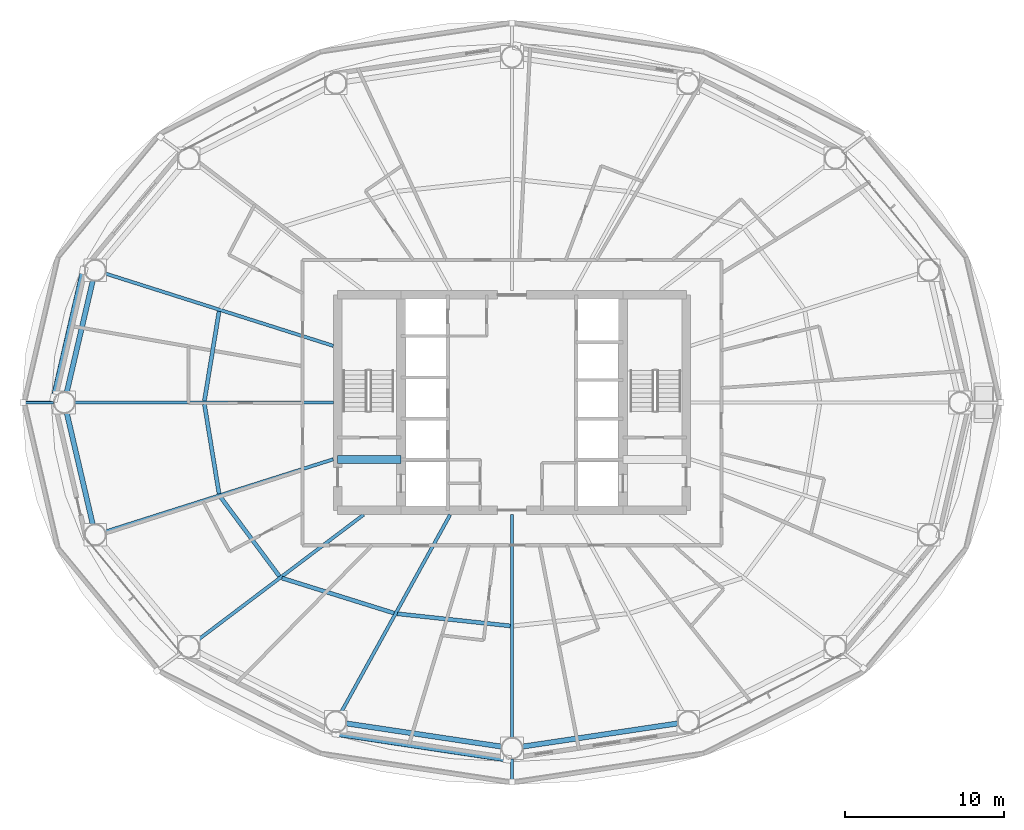
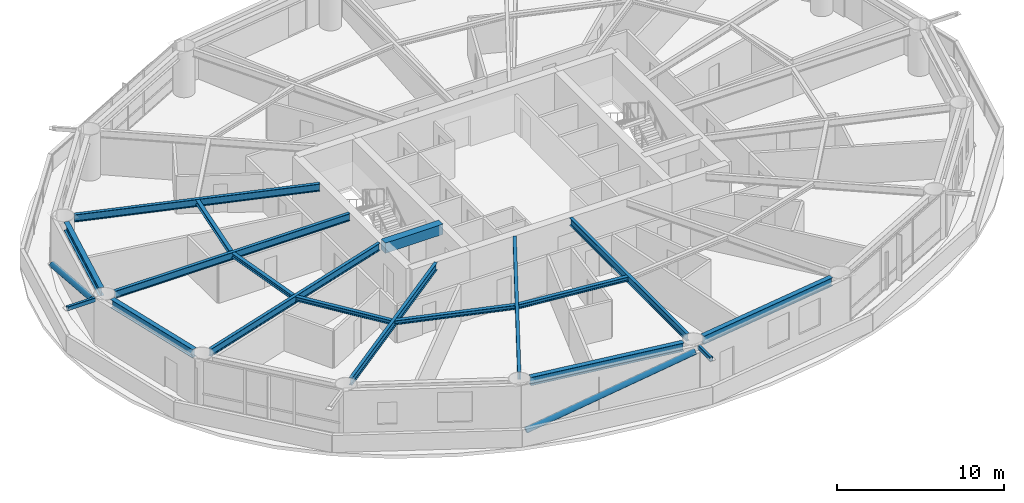
# One storey, part 3 of 25: 16 beams, 4 members.
"""IFC4 building model written with IfcOpenShell, lengths in metres."""

import ifcopenshell
import ifcopenshell.guid

model = None  # the IFC model being written
_history = None  # IfcOwnerHistory: only IFC2X3 demands one
_inside = {}  # id of a spatial element -> (the spatial element, [elements in it])
_under = {}  # id of a project, library or spatial element -> (it, [spatial elements below it])
_declared = {}  # id of a project -> (the project, [libraries it declares])
_typed = {}  # id of a type object -> (the type object, [elements of that type])
_made_of = {}  # id of a material, layer set ... -> (it, [elements and type objects made of it])


def new_model(schema):
    """Start an empty IFC model of exactly this schema.

    Asked for "IFC4X3", IfcOpenShell would pick the latest addendum, in which some entities
    have other attributes; the version numbers below select the first issue.
    IFC2X3 requires an IfcOwnerHistory on every rooted entity: one is made here for all.
    """
    global model, _history
    if schema == "IFC4X3":
        model = ifcopenshell.file(schema_version=(4, 3, 0, 0))
    else:
        model = ifcopenshell.file(schema=schema)
    _inside.clear()
    _under.clear()
    _declared.clear()
    _typed.clear()
    _made_of.clear()
    _history = None
    if model.schema == "IFC2X3":
        org = make("IfcOrganization", Name="unknown")
        user = make(
            "IfcPersonAndOrganization",
            ThePerson=make("IfcPerson", FamilyName="unknown"),
            TheOrganization=org,
        )
        app = make(
            "IfcApplication",
            ApplicationDeveloper=org,
            Version="unknown",
            ApplicationFullName="unknown",
            ApplicationIdentifier="unknown",
        )
        _history = make(
            "IfcOwnerHistory",
            OwningUser=user,
            OwningApplication=app,
            ChangeAction="ADDED",
            CreationDate=0,
        )
    return model


def make(cls, **values):
    """One entity of the class cls with the attributes given. An attribute that is None is left unset."""
    return model.create_entity(
        cls, **{name: value for name, value in values.items() if value is not None}
    )


def rooted(cls, **values):
    """An entity with a GlobalId (a new one), such as an element, a storey or a relation."""
    return make(cls, GlobalId=ifcopenshell.guid.new(), OwnerHistory=_history, **values)


def si_unit(unit_type, name, prefix=None):
    """IfcSIUnit, for example si_unit("LENGTHUNIT", "METRE", prefix="MILLI")."""
    return make("IfcSIUnit", UnitType=unit_type, Prefix=prefix, Name=name)


def assignment(units):
    """IfcUnitAssignment: the units of a project."""
    return None if units is None else make("IfcUnitAssignment", Units=units)


def point(xyz):
    """IfcCartesianPoint."""
    return None if xyz is None else make("IfcCartesianPoint", Coordinates=xyz)


def direction(xyz):
    """IfcDirection."""
    return None if xyz is None else make("IfcDirection", DirectionRatios=xyz)


def frame(location, z_axis=None, x_axis=None):
    """IfcAxis2Placement3D, a coordinate frame: its origin and axes. An axis left out is left unset."""
    return make(
        "IfcAxis2Placement3D",
        Location=point(location),
        Axis=direction(z_axis),
        RefDirection=direction(x_axis),
    )


def frame_2d(location, x_axis=None):
    """IfcAxis2Placement2D, a coordinate frame in the plane: its origin and x axis."""
    return make(
        "IfcAxis2Placement2D", Location=point(location), RefDirection=direction(x_axis)
    )


def origin():
    """The frame at (0, 0, 0) with its axes left unset."""
    return frame((0.0, 0.0, 0.0))


def origin_2d():
    """The frame at (0, 0) in the plane with its x axis left unset."""
    return frame_2d((0.0, 0.0))


def place(relative_to, where):
    """IfcLocalPlacement: puts the frame where relative to a parent placement (None: the world)."""
    return make(
        "IfcLocalPlacement", PlacementRelTo=relative_to, RelativePlacement=where
    )


def context(
    kind, dimensions, precision=None, world=None, true_north=None, identifier=None
):
    """IfcGeometricRepresentationContext, for example the 3D "Model" context."""
    return make(
        "IfcGeometricRepresentationContext",
        ContextIdentifier=identifier,
        ContextType=kind,
        CoordinateSpaceDimension=dimensions,
        Precision=precision,
        WorldCoordinateSystem=world,
        TrueNorth=true_north,
    )


def subcontext(parent, identifier, kind, view, scale=None):
    """IfcGeometricRepresentationSubContext, for example "Body" below "Model"."""
    return make(
        "IfcGeometricRepresentationSubContext",
        ContextIdentifier=identifier,
        ContextType=kind,
        ParentContext=parent,
        TargetScale=scale,
        TargetView=view,
    )


def project(units=None, contexts=None):
    """IfcProject with its units and contexts."""
    return rooted(
        "IfcProject",
        Name="project",
        RepresentationContexts=contexts,
        UnitsInContext=assignment(units),
    )


def spatial(cls, under=None, at=None, **own):
    """A site, building, storey or space (cls), placed at a placement, below another one or the project."""
    s = rooted(cls, ObjectPlacement=at, **own)
    if under is not None:
        _under.setdefault(under.id(), (under, []))[1].append(s)
    return s


def profile(cls, at=None, kind="AREA", **sizes):
    """A parametric profile (cls). Its sizes go by their IFC names, for example OverallWidth=200.0."""
    return make(cls, ProfileType=kind, Position=at, **sizes)


def rectangle(**sizes):
    """IfcRectangleProfileDef."""
    return profile("IfcRectangleProfileDef", **sizes)


def hollow_rectangle(**sizes):
    """IfcRectangleHollowProfileDef."""
    return profile("IfcRectangleHollowProfileDef", **sizes)


def hollow_circle(**sizes):
    """IfcCircleHollowProfileDef."""
    return profile("IfcCircleHollowProfileDef", **sizes)


def i_section(**sizes):
    """IfcIShapeProfileDef."""
    return profile("IfcIShapeProfileDef", **sizes)


def extrude(swept, where, along, depth):
    """IfcExtrudedAreaSolid: the profile swept, set in the frame where, extruded along a direction by depth."""
    return make(
        "IfcExtrudedAreaSolid",
        SweptArea=swept,
        Position=where,
        ExtrudedDirection=direction(along),
        Depth=depth,
    )


def shape(context_of_items, identifier, shape_type, items):
    """IfcShapeRepresentation: the items that make up one representation, for example the "Body"."""
    return make(
        "IfcShapeRepresentation",
        ContextOfItems=context_of_items,
        RepresentationIdentifier=identifier,
        RepresentationType=shape_type,
        Items=items,
    )


def material(Name=None, Category=None):
    """IfcMaterial."""
    return make("IfcMaterial", Name=Name, Category=Category)


def material_profile(
    of_material, cross_section, Name=None, Category=None, Priority=None
):
    """IfcMaterialProfile: a cross section and its material."""
    return make(
        "IfcMaterialProfile",
        Name=Name,
        Material=of_material,
        Profile=cross_section,
        Priority=Priority,
        Category=Category,
    )


def profile_set(profiles, Name=None, composite=None):
    """IfcMaterialProfileSet."""
    return make(
        "IfcMaterialProfileSet",
        Name=Name,
        MaterialProfiles=profiles,
        CompositeProfile=composite,
    )


def made_of(thing, what):
    """Note that an element or type object is made of a material, layer set ...; save() writes the relation."""
    if what is not None:
        _made_of.setdefault(what.id(), (what, []))[1].append(thing)
    return thing


def type_object(cls, material=None, **own):
    """A type object (cls), such as IfcWallType, which elements share."""
    return made_of(rooted(cls, **own), material)


def element(
    cls,
    number,
    at=None,
    inside=None,
    cuts=None,
    type_object=None,
    material=None,
    context=None,
    identifier="Body",
    shape_type=None,
    held_by="IfcProductDefinitionShape",
    body=None,
    shapes=None,
    **own,
):
    """One element of the class cls, such as IfcWall. Its Tag is "e" and its number.

    at: its placement. inside: the storey or other place that contains it. cuts: it is an
    opening in that element (IfcRelVoidsElement). A single representation is given by context,
    identifier, shape_type and body (its items); several are given by shapes. held_by: the class
    of the entity that holds the representations. save() writes the other relations.
    """
    e = rooted(cls, Tag="e%d" % number, ObjectPlacement=at, **own)
    if body is not None:
        shapes = [shape(context, identifier, shape_type, body)]
    if shapes is not None:
        e.Representation = make(held_by, Representations=shapes)
    if inside is not None:
        _inside.setdefault(inside.id(), (inside, []))[1].append(e)
    if cuts is not None:
        rooted(
            "IfcRelVoidsElement", RelatingBuildingElement=cuts, RelatedOpeningElement=e
        )
    if type_object is not None:
        _typed.setdefault(type_object.id(), (type_object, []))[1].append(e)
    return made_of(e, material)


def aggregate(whole, parts):
    """IfcRelAggregates: a whole, such as a stair, and the parts it consists of."""
    return rooted("IfcRelAggregates", RelatingObject=whole, RelatedObjects=parts)


def save(model, path):
    """Write the relations noted so far, then the file.

    IfcRelAggregates (storeys below a building ...), IfcRelContainedInSpatialStructure (elements
    in a storey), IfcRelDefinesByType, IfcRelAssociatesMaterial and IfcRelDeclares: one each for
    every whole, place, type object, material and project.
    """
    for whole, parts in _under.values():
        aggregate(whole, parts)
    for where, things in _inside.values():
        rooted(
            "IfcRelContainedInSpatialStructure",
            RelatedElements=things,
            RelatingStructure=where,
        )
    for kind, things in _typed.values():
        rooted("IfcRelDefinesByType", RelatedObjects=things, RelatingType=kind)
    for what, things in _made_of.values():
        rooted("IfcRelAssociatesMaterial", RelatedObjects=things, RelatingMaterial=what)
    for by, libraries in _declared.values():
        rooted("IfcRelDeclares", RelatingContext=by, RelatedDefinitions=libraries)
    model.write(path)


model = new_model("IFC4")

# Units and contexts
model_context = context("Model", 3, precision=1e-05, world=origin(), true_north=direction((0.0, 1.0)))
body_context = subcontext(model_context, "Body", "Model", "MODEL_VIEW")
ifc_project = project(units=[si_unit("LENGTHUNIT", "METRE"), si_unit("AREAUNIT", "SQUARE_METRE"), si_unit("VOLUMEUNIT", "CUBIC_METRE"), si_unit("PLANEANGLEUNIT", "RADIAN"), si_unit("MASSUNIT", "GRAM", prefix="KILO")], contexts=[model_context])

# Site, building, storey
site_placement = place(None, origin())
site = spatial("IfcSite", under=ifc_project, at=site_placement, CompositionType="ELEMENT")
building_placement = place(site_placement, origin())
building = spatial("IfcBuilding", under=site, at=building_placement, Name="Sarneth Arch Tower", CompositionType="ELEMENT")
storey_placement = place(building_placement, frame((0.0, 0.0, 84.0)))
storey = spatial("IfcBuildingStorey", under=building, at=storey_placement, Name="L20", CompositionType="ELEMENT", Elevation=84.0)

# Beams
ifc_material_1 = material(Name="Steel S355", Category="steel")
ifc_material_profile_1 = material_profile(ifc_material_1, i_section(OverallWidth=0.25390625, OverallDepth=0.305908203125, WebThickness=0.0087890625, FlangeThickness=0.0146484375, FilletRadius=0.014892578125, at=origin_2d()), Name="W310x79")
ifc_profile_set_1 = profile_set([ifc_material_profile_1], Name="Steel S355")
beam_type_1 = type_object("IfcBeamType", Name="BM-JOIST-310A", PredefinedType="JOIST", material=ifc_profile_set_1)
for number, where, z_axis, x_axis, name in (
    (1, (29.521484375, 47.75390625, 3.22705078125), (-0.16120310833, -0.986921252109, 0.0), (0.986921252109, -0.16120310833, 0.0), "L20 Secondary floor joist 08"),
    (2, (28.5986328125, 41.89599609375, 3.22705078125), (0.16120310833, -0.986921252109, 0.0), (0.986921252109, 0.16120310833, 0.0), "L20 Secondary floor joist 09"),
):
    element("IfcBeam", number, at=place(storey_placement, frame(where, z_axis=z_axis, x_axis=x_axis)), inside=storey, type_object=beam_type_1, Name=name, PredefinedType="JOIST", context=body_context, shape_type="SweptSolid", body=[
        extrude(i_section(OverallWidth=0.25390625, OverallDepth=0.305908203125, WebThickness=0.0087890625, FlangeThickness=0.0146484375, FilletRadius=0.014892578125, at=origin_2d()), origin(), (0.0, 0.0, 1.0), 5.724853515625),
    ])
beam_1_placement = place(storey_placement, frame((29.6015625, 36.057373046875, 3.22705078125), z_axis=(0.596354224217, -0.80272139579, 0.0), x_axis=(0.80272139579, 0.596354224217, 0.0)))
element("IfcBeam", 3, at=beam_1_placement, inside=storey, type_object=beam_type_1, Name="L20 Secondary floor joist 10", PredefinedType="JOIST", context=body_context, shape_type="SweptSolid", body=[
    extrude(i_section(OverallWidth=0.25390625, OverallDepth=0.305908203125, WebThickness=0.0087890625, FlangeThickness=0.0146484375, FilletRadius=0.014892578125, at=origin_2d()), origin(), (0.0, 0.0, 1.0), 6.246337890625),
])
beam_2_placement = place(storey_placement, frame((33.490234375, 30.927001953125, 3.22705078125), z_axis=(0.9544870201, -0.298252457594, 0.0), x_axis=(0.298252457594, 0.9544870201, 0.0)))
element("IfcBeam", 4, at=beam_2_placement, inside=storey, type_object=beam_type_1, Name="L20 Secondary floor joist 11", PredefinedType="JOIST", context=body_context, shape_type="SweptSolid", body=[
    extrude(i_section(OverallWidth=0.25390625, OverallDepth=0.305908203125, WebThickness=0.0087890625, FlangeThickness=0.0146484375, FilletRadius=0.014892578125, at=origin_2d()), origin(), (0.0, 0.0, 1.0), 7.40234375),
])
beam_3_placement = place(storey_placement, frame((40.761474609375, 28.676513671875, 3.22705078125), z_axis=(0.99429330851, -0.106680910441, 0.0), x_axis=(0.106680910441, 0.99429330851, 0.0)))
element("IfcBeam", 5, at=beam_3_placement, inside=storey, type_object=beam_type_1, Name="L20 Secondary floor joist 12", PredefinedType="JOIST", context=body_context, shape_type="SweptSolid", body=[
    extrude(i_section(OverallWidth=0.25390625, OverallDepth=0.305908203125, WebThickness=0.0087890625, FlangeThickness=0.0146484375, FilletRadius=0.014892578125, at=origin_2d()), origin(), (0.0, 0.0, 1.0), 7.174560546875),
])
ifc_material_2 = material(Name="Concrete C50/60", Category="concrete")
ifc_material_profile_2 = material_profile(ifc_material_2, rectangle(XDim=0.5, YDim=0.75, at=origin_2d()), Name="RC-500x750")
ifc_profile_set_2 = profile_set([ifc_material_profile_2], Name="Concrete C50/60")
beam_type_2 = type_object("IfcBeamType", Name="BM-LINTEL-RC", PredefinedType="LINTEL", material=ifc_profile_set_2)
beam_4_placement = place(storey_placement, frame((37.0, 38.39990234375, 3.0048828125), z_axis=(1.0, 0.0, 0.0), x_axis=(0.0, 1.0, 0.0)))
element("IfcBeam", 6, at=beam_4_placement, inside=storey, type_object=beam_type_2, Name="L20 Core coupling lintel W", PredefinedType="LINTEL", context=body_context, shape_type="SweptSolid", body=[
    extrude(rectangle(XDim=0.5, YDim=0.75, at=origin_2d()), origin(), (0.0, 0.0, 1.0), 4.0),
])
ifc_material_3 = material(Name="Steel S355", Category="steel")
ifc_material_profile_3 = material_profile(ifc_material_3, i_section(OverallWidth=0.2109375, OverallDepth=0.5390625, WebThickness=0.01171875, FlangeThickness=0.018798828125, FilletRadius=0.01806640625, at=origin_2d()), Name="W530x109")
ifc_profile_set_3 = profile_set([ifc_material_profile_3], Name="Steel S355")
beam_type_3 = type_object("IfcBeamType", Name="BM-RAD-530B", PredefinedType="BEAM", material=ifc_profile_set_3)
beam_5_placement = place(storey_placement, frame((36.72509765625, 45.57763671875, 3.110595703125), z_axis=(-0.95316257761, 0.302458427958, 0.0), x_axis=(-0.302458427958, -0.95316257761, 0.0)))
element("IfcBeam", 7, at=beam_5_placement, inside=storey, type_object=beam_type_3, Name="L20 Radial floor girder 08", PredefinedType="BEAM", context=body_context, shape_type="SweptSolid", body=[
    extrude(i_section(OverallWidth=0.2109375, OverallDepth=0.5390625, WebThickness=0.01171875, FlangeThickness=0.018798828125, FilletRadius=0.01806640625, at=origin_2d()), origin(), (0.0, 0.0, 1.0), 15.0791015625),
])
beam_6_placement = place(storey_placement, frame((36.72509765625, 42.0, 3.110595703125), z_axis=(-1.0, 0.0, 0.0), x_axis=(0.0, -1.0, 0.0)))
element("IfcBeam", 8, at=beam_6_placement, inside=storey, type_object=beam_type_3, Name="L20 Radial floor girder 09", PredefinedType="BEAM", context=body_context, shape_type="SweptSolid", body=[
    extrude(i_section(OverallWidth=0.2109375, OverallDepth=0.5390625, WebThickness=0.01171875, FlangeThickness=0.018798828125, FilletRadius=0.01806640625, at=origin_2d()), origin(), (0.0, 0.0, 1.0), 16.28662109375),
])
beam_7_placement = place(storey_placement, frame((36.72509765625, 38.42236328125, 3.110595703125), z_axis=(-0.95316257761, -0.302458427958, 0.0), x_axis=(0.302458427958, -0.95316257761, 0.0)))
element("IfcBeam", 9, at=beam_7_placement, inside=storey, type_object=beam_type_3, Name="L20 Radial floor girder 10", PredefinedType="BEAM", context=body_context, shape_type="SweptSolid", body=[
    extrude(i_section(OverallWidth=0.2109375, OverallDepth=0.5390625, WebThickness=0.01171875, FlangeThickness=0.018798828125, FilletRadius=0.01806640625, at=origin_2d()), origin(), (0.0, 0.0, 1.0), 15.0791015625),
])
beam_8_placement = place(storey_placement, frame((38.63818359375, 34.925048828125, 3.110595703125), z_axis=(-0.797801476102, -0.602920230818, 0.0), x_axis=(0.602920230818, -0.797801476102, 0.0)))
element("IfcBeam", 10, at=beam_8_placement, inside=storey, type_object=beam_type_3, Name="L20 Radial floor girder 11", PredefinedType="BEAM", context=body_context, shape_type="SweptSolid", body=[
    extrude(i_section(OverallWidth=0.2109375, OverallDepth=0.5390625, WebThickness=0.01171875, FlangeThickness=0.018798828125, FilletRadius=0.01806640625, at=origin_2d()), origin(), (0.0, 0.0, 1.0), 13.15771484375),
])
beam_9_placement = place(storey_placement, frame((44.09716796875, 34.925048828125, 3.110595703125), z_axis=(-0.48301301286, -0.875613173387, 0.0), x_axis=(0.875613173387, -0.48301301286, 0.0)))
element("IfcBeam", 11, at=beam_9_placement, inside=storey, type_object=beam_type_3, Name="L20 Radial floor girder 12", PredefinedType="BEAM", context=body_context, shape_type="SweptSolid", body=[
    extrude(i_section(OverallWidth=0.2109375, OverallDepth=0.5390625, WebThickness=0.01171875, FlangeThickness=0.018798828125, FilletRadius=0.01806640625, at=origin_2d()), origin(), (0.0, 0.0, 1.0), 14.246826171875),
])
beam_10_placement = place(storey_placement, frame((48.0, 34.925048828125, 3.110595703125), z_axis=(0.0, -1.0, 0.0), x_axis=(1.0, 0.0, 0.0)))
element("IfcBeam", 12, at=beam_10_placement, inside=storey, type_object=beam_type_3, Name="L20 Radial floor girder 13", PredefinedType="BEAM", context=body_context, shape_type="SweptSolid", body=[
    extrude(i_section(OverallWidth=0.2109375, OverallDepth=0.5390625, WebThickness=0.01171875, FlangeThickness=0.018798828125, FilletRadius=0.01806640625, at=origin_2d()), origin(), (0.0, 0.0, 1.0), 14.050048828125),
])
ifc_material_4 = material(Name="Steel S355", Category="steel")
ifc_material_profile_4 = material_profile(ifc_material_4, i_section(OverallWidth=0.323974609375, OverallDepth=0.611083984375, WebThickness=0.0126953125, FlangeThickness=0.01904296875, FilletRadius=0.01904296875, at=origin_2d()), Name="W610x155")
ifc_profile_set_4 = profile_set([ifc_material_profile_4], Name="Steel S355")
beam_type_4 = type_object("IfcBeamType", Name="BM-SPAN-610B", PredefinedType="SPANDREL", material=ifc_profile_set_4)
for number, where, z_axis, x_axis, name in (
    (13, (21.555419921875, 49.68505859375, 3.074462890625), (-0.22708522689, -0.973874889156, 0.0), (0.973874889156, -0.22708522689, 0.0), "L20 Perimeter spandrel beam 08"),
    (14, (19.916748046875, 41.342529296875, 3.074462890625), (0.22708522689, -0.973874889156, 0.0), (0.973874889156, 0.22708522689, 0.0), "L20 Perimeter spandrel beam 09"),
):
    element("IfcBeam", number, at=place(storey_placement, frame(where, z_axis=z_axis, x_axis=x_axis)), inside=storey, type_object=beam_type_4, Name=name, PredefinedType="SPANDREL", context=body_context, shape_type="SweptSolid", body=[
        extrude(i_section(OverallWidth=0.323974609375, OverallDepth=0.611083984375, WebThickness=0.0126953125, FlangeThickness=0.01904296875, FilletRadius=0.01904296875, at=origin_2d()), origin(), (0.0, 0.0, 1.0), 7.216064453125),
    ])
for number, where, z_axis, x_axis, name in (
    (15, (37.557373046875, 21.759765625, 3.074462890625), (0.989029828744, -0.147715936359, 0.0), (0.147715936359, 0.989029828744, 0.0), "L20 Perimeter spandrel beam 12"),
    (16, (48.66748046875, 20.2998046875, 3.074462890625), (0.989029828744, 0.147715936359, 0.0), (-0.147715936359, 0.989029828744, 0.0), "L20 Perimeter spandrel beam 13"),
):
    element("IfcBeam", number, at=place(storey_placement, frame(where, z_axis=z_axis, x_axis=x_axis)), inside=storey, type_object=beam_type_4, Name=name, PredefinedType="SPANDREL", context=body_context, shape_type="SweptSolid", body=[
        extrude(i_section(OverallWidth=0.323974609375, OverallDepth=0.611083984375, WebThickness=0.0126953125, FlangeThickness=0.01904296875, FilletRadius=0.01904296875, at=origin_2d()), origin(), (0.0, 0.0, 1.0), 9.883544921875),
    ])

# Members
ifc_material_5 = material(Name="Steel S355", Category="steel")
ifc_material_profile_5 = material_profile(ifc_material_5, hollow_rectangle(XDim=0.199951171875, YDim=0.300048828125, WallThickness=0.012451171875, InnerFilletRadius=0.018798828125, OuterFilletRadius=0.03125, at=origin_2d()), Name="RHS300x200x12.5")
ifc_profile_set_5 = profile_set([ifc_material_profile_5], Name="Steel S355")
member_type_1 = type_object("IfcMemberType", Name="MEM-CANT-STRUT", PredefinedType="STRUT", material=ifc_profile_set_5)
member_1_placement = place(storey_placement, frame((19.08837890625, 42.0, 3.219970703125), z_axis=(-1.0, 0.0, 0.0), x_axis=(0.0, -1.0, 0.0)))
element("IfcMember", 17, at=member_1_placement, inside=storey, type_object=member_type_1, Name="L20 Balcony cantilever bracket 09", PredefinedType="STRUT", context=body_context, shape_type="SweptSolid", body=[
    extrude(hollow_rectangle(XDim=0.199951171875, YDim=0.300048828125, WallThickness=0.012451171875, InnerFilletRadius=0.018798828125, OuterFilletRadius=0.03125, at=origin_2d()), origin(), (0.0, 0.0, 1.0), 1.93310546875),
])
member_2_placement = place(storey_placement, frame((48.0, 19.52490234375, 3.219970703125), z_axis=(0.0, -1.0, 0.0), x_axis=(1.0, 0.0, 0.0)))
element("IfcMember", 18, at=member_2_placement, inside=storey, type_object=member_type_1, Name="L20 Balcony cantilever bracket 13", PredefinedType="STRUT", context=body_context, shape_type="SweptSolid", body=[
    extrude(hollow_rectangle(XDim=0.199951171875, YDim=0.300048828125, WallThickness=0.012451171875, InnerFilletRadius=0.018798828125, OuterFilletRadius=0.03125, at=origin_2d()), origin(), (0.0, 0.0, 1.0), 1.466796875),
])
ifc_material_6 = material(Name="Steel S355", Category="steel")
ifc_material_profile_6 = material_profile(ifc_material_6, hollow_circle(Radius=0.202880859375, WallThickness=0.01611328125, at=origin_2d()), Name="CHS406x16")
ifc_profile_set_6 = profile_set([ifc_material_profile_6], Name="Steel S355")
member_type_2 = type_object("IfcMemberType", Name="MEM-DIAG-BR2", PredefinedType="BRACE", material=ifc_profile_set_6)
member_3_placement = place(storey_placement, frame((20.98046875, 50.32958984375, 0.02001953125), z_axis=(-0.21184573702, -0.915846816603, 0.341095283204), x_axis=(0.974275349464, -0.225360918143, 0.0)))
element("IfcMember", 19, at=member_3_placement, inside=storey, type_object=member_type_2, Name="L20 Perimeter frame diagonal 08", PredefinedType="BRACE", context=body_context, shape_type="SweptSolid", body=[
    extrude(hollow_circle(Radius=0.202880859375, WallThickness=0.01611328125, at=origin_2d()), origin(), (0.0, 0.0, 1.0), 8.77587890625),
])
member_4_placement = place(storey_placement, frame((36.9072265625, 21.140380859375, 0.02001953125), z_axis=(0.953656635145, -0.143605968509, 0.264416996529), x_axis=(0.148905755657, 0.988851392239, 0.0)))
element("IfcMember", 20, at=member_4_placement, inside=storey, type_object=member_type_2, Name="L20 Perimeter frame diagonal 12", PredefinedType="BRACE", context=body_context, shape_type="SweptSolid", body=[
    extrude(hollow_circle(Radius=0.202880859375, WallThickness=0.01611328125, at=origin_2d()), origin(), (0.0, 0.0, 1.0), 11.32080078125),
])

save(model, "model.ifc")
